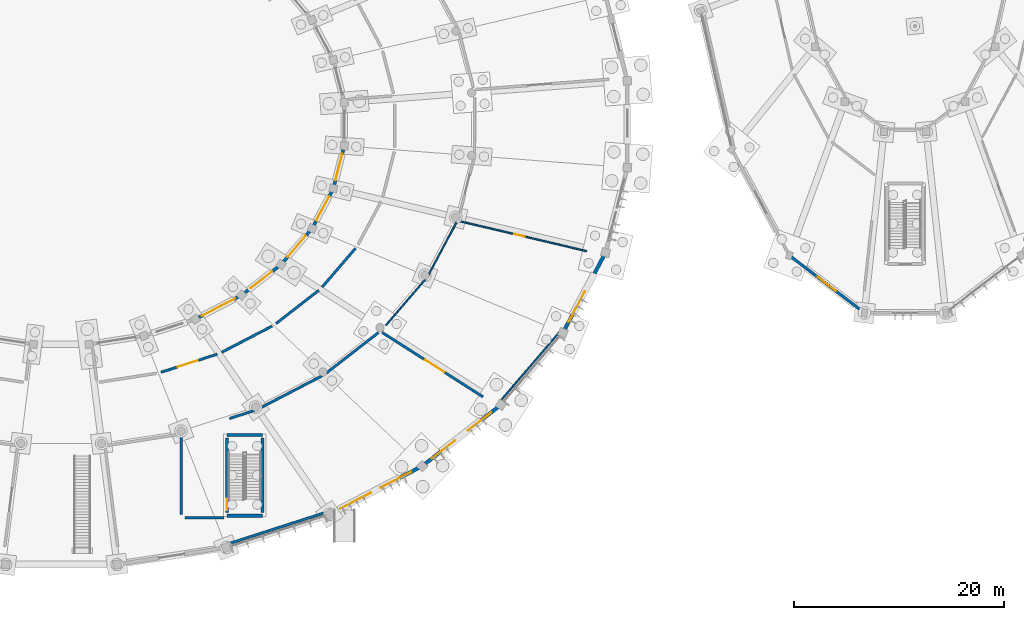
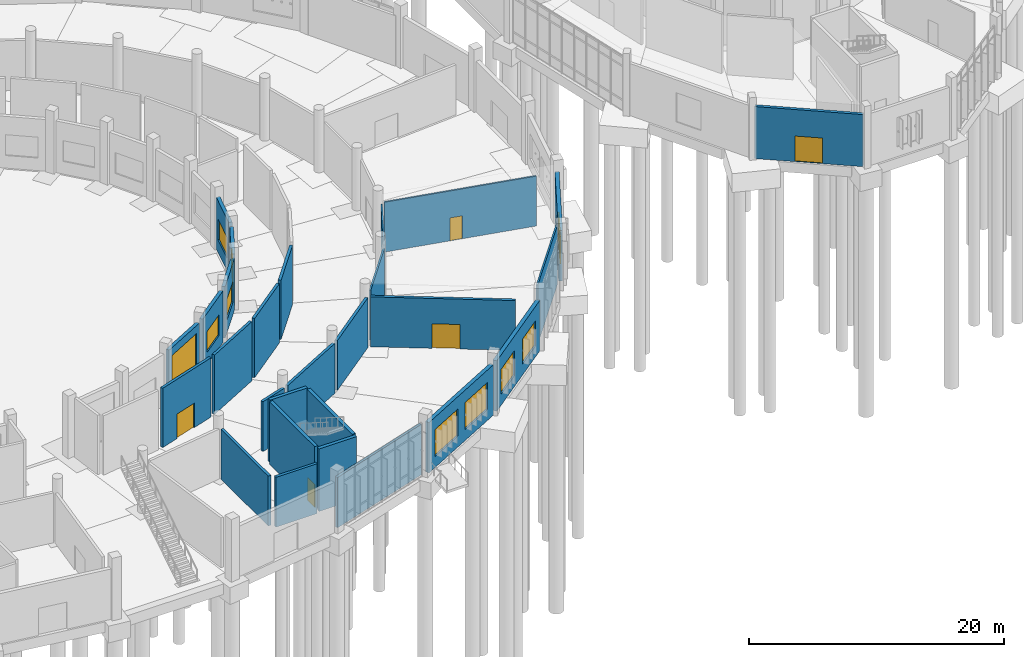
# One storey, part 85 of 140: 28 walls, 9 windows, 6 doors, 15 openings.
"""IFC4 building model written with IfcOpenShell, lengths in metres."""

from ifc_helpers import new_model, si_unit, direction, frame, frame_2d, origin, place, context, subcontext, project, spatial, rectangle, extrude, material, layer, layer_set, type_object, element, fill, save


model = new_model("IFC4")

# Units and contexts
model_context = context("Model", 3, precision=1e-05, world=origin(), true_north=direction((0.0, 1.0)))
body_context = subcontext(model_context, "Body", "Model", "MODEL_VIEW")
ifc_project = project(units=[si_unit("LENGTHUNIT", "METRE"), si_unit("AREAUNIT", "SQUARE_METRE"), si_unit("VOLUMEUNIT", "CUBIC_METRE"), si_unit("PLANEANGLEUNIT", "RADIAN"), si_unit("MASSUNIT", "GRAM", prefix="KILO")], contexts=[model_context])

# Site, building, storey
site_placement = place(None, origin())
site = spatial("IfcSite", under=ifc_project, at=site_placement, CompositionType="ELEMENT")
building_placement = place(site_placement, origin())
building = spatial("IfcBuilding", under=site, at=building_placement, Name="Corvandel Quay Wholesale Market", CompositionType="ELEMENT")
storey_placement = place(building_placement, origin())
storey = spatial("IfcBuildingStorey", under=building, at=storey_placement, Name="L00", CompositionType="ELEMENT", Elevation=0.0)

# Walls
ifc_material_1 = material(Name="Lightweight concrete blockwork", Category="masonry")
ifc_layer_1 = layer(ifc_material_1, 0.239990234375)
ifc_layer_set_1 = layer_set([ifc_layer_1], Name="Lightweight concrete blockwork")
wall_type_1 = type_object("IfcWallType", Name="Fire Compartment Partition PT01 240", PredefinedType="PARTITIONING", material=ifc_layer_set_1)
wall_1_placement = place(storey_placement, frame((125.4599609375, 12.222900390625, 0.0), z_axis=(0.0, 0.0, 1.0), x_axis=(0.0, -1.0, 0.0)))
element("IfcWall", 1, at=wall_1_placement, inside=storey, type_object=wall_type_1, Name="Interior Wall IW-0391", PredefinedType="PARTITIONING", context=body_context, shape_type="SweptSolid", body=[
    extrude(rectangle(XDim=7.44287109375, YDim=0.239990234375, at=frame_2d((3.721435546875, 0.0))), origin(), (0.0, 0.0, 1.0), 4.780029296875),
])
wall_2_placement = place(storey_placement, frame((125.780029296875, 4.4599609375, 0.0), z_axis=(0.0, 0.0, 1.0), x_axis=(1.0, 0.0, 0.0)))
element("IfcWall", 2, at=wall_2_placement, inside=storey, type_object=wall_type_1, Name="Interior Wall IW-0392", PredefinedType="PARTITIONING", context=body_context, shape_type="SweptSolid", body=[
    extrude(rectangle(XDim=3.75, YDim=0.239990234375, at=frame_2d((1.875, 0.0))), origin(), (0.0, 0.0, 1.0), 4.780029296875),
])
wall_3_placement = place(storey_placement, frame((130.04931640625, 13.91748046875, 0.0), z_axis=(0.0, 0.0, 1.0), x_axis=(0.951562248759, 0.30745615417, 0.0)))
element("IfcWall", 3, at=wall_3_placement, inside=storey, type_object=wall_type_1, Name="Interior Wall IW-0393", PredefinedType="PARTITIONING", context=body_context, shape_type="SweptSolid", body=[
    extrude(rectangle(XDim=2.51708984375, YDim=0.239990234375, at=frame_2d((1.258544921875, 0.0))), origin(), (0.0, 0.0, 1.0), 4.780029296875),
])
wall_4_placement = place(storey_placement, frame((132.84912109375, 14.8603515625, 0.0), z_axis=(0.0, 0.0, 1.0), x_axis=(0.887430939063, 0.460940699433, 0.0)))
element("IfcWall", 4, at=wall_4_placement, inside=storey, type_object=wall_type_1, Name="Interior Wall IW-0394", PredefinedType="PARTITIONING", context=body_context, shape_type="SweptSolid", body=[
    extrude(rectangle(XDim=6.810302734375, YDim=0.239990234375, at=frame_2d((3.4052734375, 0.0))), origin(), (0.0, 0.0, 1.0), 4.780029296875),
])
wall_5_placement = place(storey_placement, frame((139.26171875, 18.23583984375, 0.0), z_axis=(0.0, 0.0, 1.0), x_axis=(0.789755642967, 0.613421571517, 0.0)))
element("IfcWall", 5, at=wall_5_placement, inside=storey, type_object=wall_type_1, Name="Interior Wall IW-0395", PredefinedType="PARTITIONING", context=body_context, shape_type="SweptSolid", body=[
    extrude(rectangle(XDim=6.319091796875, YDim=0.239990234375, at=frame_2d((3.15966796875, 0.0))), origin(), (0.0, 0.0, 1.0), 4.780029296875),
])

# Wall, opening, door
wall_6_placement = place(storey_placement, frame((144.611328125, 22.128662109375, 0.0), z_axis=(0.0, 0.0, 1.0), x_axis=(0.842924894101, -0.538031247146, 0.0)))
wall_6 = element("IfcWall", 6, at=wall_6_placement, inside=storey, type_object=wall_type_1, Name="Interior Wall IW-0396", PredefinedType="PARTITIONING", context=body_context, shape_type="SweptSolid", body=[
    extrude(rectangle(XDim=11.408203125, YDim=0.239990234375, at=frame_2d((5.7041015625, 0.0))), origin(), (0.0, 0.0, 1.0), 4.780029296875),
])
opening_1_placement = place(wall_6_placement, frame((4.85400390625, 0.0, 0.0)))
opening_1 = element("IfcOpeningElement", 7, at=opening_1_placement, cuts=wall_6, Name="Opening L00-D091", PredefinedType="OPENING", context=body_context, shape_type="SweptSolid", body=[
    extrude(rectangle(XDim=2.199951171875, YDim=2.35009765625, at=frame_2d((1.10009765625, 1.175048828125))), frame((0.0, 0.1298828125, 0.0), z_axis=(0.0, -1.0, 0.0), x_axis=(1.0, 0.0, 0.0)), (0.0, 0.0, 1.0), 0.260009765625),
])
ifc_material_2 = material(Name="Stainless-clad fire-rated steel", Category="steel")
door_type_1 = type_object("IfcDoorType", Name="Hall Compartment Double Door ID04 2200x2350", OperationType="DOUBLE_DOOR_SINGLE_SWING", PredefinedType="DOOR", material=ifc_material_2)
door_1_placement = place(opening_1_placement, origin())
door_1 = element("IfcDoor", 8, at=door_1_placement, inside=storey, type_object=door_type_1, Name="Root Vegetable Wholesale Trading Hall Door", OperationType="DOUBLE_DOOR_SINGLE_SWING", OverallHeight=2.35009765625, OverallWidth=2.199951171875, PredefinedType="DOOR", context=body_context, shape_type="SweptSolid", body=[
    extrude(rectangle(XDim=2.199951171875, YDim=2.35009765625, at=frame_2d((1.10009765625, 1.175048828125))), frame((0.0, 0.02490234375, 0.0), z_axis=(0.0, -1.0, 0.0), x_axis=(1.0, 0.0, 0.0)), (0.0, 0.0, 1.0), 0.050048828125),
])
fill(opening_1, door_1)

# Walls
wall_7_placement = place(storey_placement, frame((139.26171875, 4.971435546875, 0.0), z_axis=(0.0, 0.0, 1.0), x_axis=(-0.951842519604, -0.306587373964, 0.0)))
element("IfcWall", 9, at=wall_7_placement, inside=storey, type_object=wall_type_1, Name="Interior Wall IW-0397", PredefinedType="PARTITIONING", context=body_context, shape_type="SweptSolid", body=[
    extrude(rectangle(XDim=9.840087890625, YDim=0.239990234375, at=frame_2d((4.919921875, 0.0))), origin(), (0.0, 0.0, 1.0), 4.830078125),
])
wall_8_placement = place(storey_placement, frame((142.073486328125, 30.1650390625, 0.0), z_axis=(0.0, 0.0, 1.0), x_axis=(-0.651612898083, -0.758551666699, 0.0)))
element("IfcWall", 10, at=wall_8_placement, inside=storey, type_object=wall_type_1, Name="Interior Wall IW-0436", PredefinedType="PARTITIONING", context=body_context, shape_type="SweptSolid", body=[
    extrude(rectangle(XDim=4.892578125, YDim=0.239990234375, at=frame_2d((2.4462890625, 0.0))), origin(), (0.0, 0.0, 1.0), 5.679931640625),
])
wall_9_placement = place(storey_placement, frame((138.568359375, 26.15185546875, 0.0), z_axis=(0.0, 0.0, 1.0), x_axis=(-0.789326793675, -0.613973299734, 0.0)))
element("IfcWall", 11, at=wall_9_placement, inside=storey, type_object=wall_type_1, Name="Interior Wall IW-0437", PredefinedType="PARTITIONING", context=body_context, shape_type="SweptSolid", body=[
    extrude(rectangle(XDim=5.1708984375, YDim=0.239990234375, at=frame_2d((2.58544921875, 0.0))), origin(), (0.0, 0.0, 1.0), 5.679931640625),
])
wall_10_placement = place(storey_placement, frame((134.117919921875, 22.740478515625, 0.0), z_axis=(0.0, 0.0, 1.0), x_axis=(-0.88734982981, -0.461096822301, 0.0)))
element("IfcWall", 12, at=wall_10_placement, inside=storey, type_object=wall_type_1, Name="Interior Wall IW-0438", PredefinedType="PARTITIONING", context=body_context, shape_type="SweptSolid", body=[
    extrude(rectangle(XDim=5.437255859375, YDim=0.239990234375, at=frame_2d((2.71875, 0.0))), origin(), (0.0, 0.0, 1.0), 5.679931640625),
])

# Wall, opening, door
wall_11_placement = place(storey_placement, frame((128.888671875, 20.064453125, 0.0), z_axis=(0.0, 0.0, 1.0), x_axis=(-0.951827438235, -0.306634192193, 0.0)))
wall_11 = element("IfcWall", 13, at=wall_11_placement, inside=storey, type_object=wall_type_1, Name="Interior Wall IW-0439", PredefinedType="PARTITIONING", context=body_context, shape_type="SweptSolid", body=[
    extrude(rectangle(XDim=5.6513671875, YDim=0.239990234375, at=frame_2d((2.82568359375, 0.0))), origin(), (0.0, 0.0, 1.0), 5.679931640625),
])
opening_2_placement = place(wall_11_placement, frame((1.97607421875, 0.0, 0.0)))
opening_2 = element("IfcOpeningElement", 14, at=opening_2_placement, cuts=wall_11, Name="Opening L00-D097", PredefinedType="OPENING", context=body_context, shape_type="SweptSolid", body=[
    extrude(rectangle(XDim=2.0, YDim=2.35009765625, at=frame_2d((1.0, 1.175048828125))), frame((0.0, 0.1298828125, 0.0), z_axis=(0.0, -1.0, 0.0), x_axis=(1.0, 0.0, 0.0)), (0.0, 0.0, 1.0), 0.260009765625),
])
ifc_material_3 = material(Name="Heavy-duty anodised aluminium", Category="aluminium")
door_type_2 = type_object("IfcDoorType", Name="Trading Stall Double Door ID05 2000x2350", OperationType="DOUBLE_DOOR_SINGLE_SWING", PredefinedType="DOOR", material=ifc_material_3)
door_2_placement = place(opening_2_placement, origin())
door_2 = element("IfcDoor", 15, at=door_2_placement, inside=storey, type_object=door_type_2, Name="Produce Lorry Apron Loading Stalls SouthEast Door", OperationType="DOUBLE_DOOR_SINGLE_SWING", OverallHeight=2.35009765625, OverallWidth=2.0, PredefinedType="DOOR", context=body_context, shape_type="SweptSolid", body=[
    extrude(rectangle(XDim=2.0, YDim=2.35009765625, at=frame_2d((1.0, 1.175048828125))), frame((0.0, 0.02490234375, 0.0), z_axis=(0.0, -1.0, 0.0), x_axis=(1.0, 0.0, 0.0)), (0.0, 0.0, 1.0), 0.050048828125),
])
fill(opening_2, door_2)

ifc_material_4 = material(Name="Precast concrete C45/55", Category="concrete")
ifc_layer_2 = layer(ifc_material_4, 0.300048828125)
ifc_layer_set_2 = layer_set([ifc_layer_2], Name="Precast concrete C45/55")
wall_type_2 = type_object("IfcWallType", Name="Loading Dock Apron Precast Wall EW05 300", PredefinedType="SOLIDWALL", material=ifc_layer_set_2)
wall_12_placement = place(storey_placement, frame((127.03759765625, 23.51904296875, 0.0), z_axis=(0.0, 0.0, 1.0), x_axis=(0.887318897671, 0.461156344243, 0.0)))
wall_12 = element("IfcWall", 16, at=wall_12_placement, inside=storey, type_object=wall_type_2, Name="Exterior Wall EW-0074", PredefinedType="SOLIDWALL", context=body_context, shape_type="SweptSolid", body=[
    extrude(rectangle(XDim=4.423095703125, YDim=0.300048828125, at=frame_2d((2.21142578125, 0.0))), origin(), (0.0, 0.0, 1.0), 4.949951171875),
])
opening_3_placement = place(wall_12_placement, frame((0.412109375, 0.0, 0.0)))
opening_3 = element("IfcOpeningElement", 17, at=opening_3_placement, cuts=wall_12, Name="Opening L00-D015", PredefinedType="OPENING", context=body_context, shape_type="SweptSolid", body=[
    extrude(rectangle(XDim=3.60009765625, YDim=4.199951171875, at=frame_2d((1.800048828125, 2.10009765625))), frame((0.0, 0.159912109375, 0.0), z_axis=(0.0, -1.0, 0.0), x_axis=(1.0, 0.0, 0.0)), (0.0, 0.0, 1.0), 0.320068359375),
])
ifc_material_5 = material(Name="Perforated galvanised steel slats", Category="steel")
door_type_3 = type_object("IfcDoorType", Name="Produce Yard Apron Roller Shutter RS02 3600x4200", OperationType="ROLLINGUP", PredefinedType="DOOR", material=ifc_material_5)
door_3_placement = place(opening_3_placement, origin())
door_3 = element("IfcDoor", 18, at=door_3_placement, inside=storey, type_object=door_type_3, Name="Yard Loading Door V1-26", OperationType="ROLLINGUP", OverallHeight=4.199951171875, OverallWidth=3.60009765625, PredefinedType="DOOR", context=body_context, shape_type="SweptSolid", body=[
    extrude(rectangle(XDim=3.60009765625, YDim=4.199951171875, at=frame_2d((1.800048828125, 2.10009765625))), frame((0.0, 0.02490234375, 0.0), z_axis=(0.0, -1.0, 0.0), x_axis=(1.0, 0.0, 0.0)), (0.0, 0.0, 1.0), 0.050048828125),
])
fill(opening_3, door_3)

# Wall, opening, window
wall_13_placement = place(storey_placement, frame((131.431884765625, 25.85986328125, 0.0), z_axis=(0.0, 0.0, 1.0), x_axis=(0.789377228816, 0.613908454598, 0.0)))
wall_13 = element("IfcWall", 19, at=wall_13_placement, inside=storey, type_object=wall_type_2, Name="Exterior Wall EW-0077", PredefinedType="SOLIDWALL", context=body_context, shape_type="SweptSolid", body=[
    extrude(rectangle(XDim=4.20458984375, YDim=0.300048828125, at=frame_2d((2.102294921875, 0.0))), origin(), (0.0, 0.0, 1.0), 4.949951171875),
])
opening_4_placement = place(wall_13_placement, frame((0.802001953125, 0.0, 1.199951171875)))
opening_4 = element("IfcOpeningElement", 20, at=opening_4_placement, cuts=wall_13, Name="Opening L00-W044", PredefinedType="OPENING", context=body_context, shape_type="SweptSolid", body=[
    extrude(rectangle(XDim=2.60009765625, YDim=2.0, at=frame_2d((1.300048828125, 1.0))), frame((0.0, 0.159912109375, 0.0), z_axis=(0.0, -1.0, 0.0), x_axis=(1.0, 0.0, 0.0)), (0.0, 0.0, 1.0), 0.320068359375),
])
ifc_material_6 = material(Name="Thermally broken bronze anodised aluminium and solar-control low-E double glazing", Category="aluminium")
window_type_1 = type_object("IfcWindowType", Name="Yard Overlook Window WN05 2600x2000", PartitioningType="SINGLE_PANEL", PredefinedType="WINDOW", material=ifc_material_6)
window_1_placement = place(opening_4_placement, origin())
window_1 = element("IfcWindow", 21, at=window_1_placement, inside=storey, type_object=window_type_1, Name="Window L00-W044", OverallHeight=2.0, OverallWidth=2.60009765625, PartitioningType="SINGLE_PANEL", PredefinedType="WINDOW", context=body_context, shape_type="SweptSolid", body=[
    extrude(rectangle(XDim=2.60009765625, YDim=2.0, at=frame_2d((1.300048828125, 1.0))), frame((0.0, 0.030029296875, 0.0), z_axis=(0.0, -1.0, 0.0), x_axis=(1.0, 0.0, 0.0)), (0.0, 0.0, 1.0), 0.06005859375),
])
fill(opening_4, window_1)

wall_14_placement = place(storey_placement, frame((135.154541015625, 28.825439453125, 0.0), z_axis=(0.0, 0.0, 1.0), x_axis=(0.651580132855, 0.758579811535, 0.0)))
wall_14 = element("IfcWall", 22, at=wall_14_placement, inside=storey, type_object=wall_type_2, Name="Exterior Wall EW-0078", PredefinedType="SOLIDWALL", context=body_context, shape_type="SweptSolid", body=[
    extrude(rectangle(XDim=3.974609375, YDim=0.300048828125, at=frame_2d((1.9873046875, 0.0))), origin(), (0.0, 0.0, 1.0), 4.949951171875),
])
opening_5_placement = place(wall_14_placement, frame((0.68701171875, 0.0, 1.199951171875)))
opening_5 = element("IfcOpeningElement", 23, at=opening_5_placement, cuts=wall_14, Name="Opening L00-W045", PredefinedType="OPENING", context=body_context, shape_type="SweptSolid", body=[
    extrude(rectangle(XDim=2.60009765625, YDim=2.0, at=frame_2d((1.300048828125, 1.0))), frame((0.0, 0.159912109375, 0.0), z_axis=(0.0, -1.0, 0.0), x_axis=(1.0, 0.0, 0.0)), (0.0, 0.0, 1.0), 0.320068359375),
])
window_2_placement = place(opening_5_placement, origin())
window_2 = element("IfcWindow", 24, at=window_2_placement, inside=storey, type_object=window_type_1, Name="Window L00-W045", OverallHeight=2.0, OverallWidth=2.60009765625, PartitioningType="SINGLE_PANEL", PredefinedType="WINDOW", context=body_context, shape_type="SweptSolid", body=[
    extrude(rectangle(XDim=2.60009765625, YDim=2.0, at=frame_2d((1.300048828125, 1.0))), frame((0.0, 0.030029296875, 0.0), z_axis=(0.0, -1.0, 0.0), x_axis=(1.0, 0.0, 0.0)), (0.0, 0.0, 1.0), 0.06005859375),
])
fill(opening_5, window_2)

wall_15_placement = place(storey_placement, frame((138.05859375, 32.30029296875, 0.0), z_axis=(0.0, 0.0, 1.0), x_axis=(0.469993150061, 0.882670062309, 0.0)))
wall_15 = element("IfcWall", 25, at=wall_15_placement, inside=storey, type_object=wall_type_2, Name="Exterior Wall EW-0081", PredefinedType="SOLIDWALL", context=body_context, shape_type="SweptSolid", body=[
    extrude(rectangle(XDim=3.769775390625, YDim=0.300048828125, at=frame_2d((1.884765625, 0.0))), origin(), (0.0, 0.0, 1.0), 4.949951171875),
])
opening_6_placement = place(wall_15_placement, frame((0.5849609375, 0.0, 1.199951171875)))
opening_6 = element("IfcOpeningElement", 26, at=opening_6_placement, cuts=wall_15, Name="Opening L00-W047", PredefinedType="OPENING", context=body_context, shape_type="SweptSolid", body=[
    extrude(rectangle(XDim=2.60009765625, YDim=2.0, at=frame_2d((1.300048828125, 1.0))), frame((0.0, 0.159912109375, 0.0), z_axis=(0.0, -1.0, 0.0), x_axis=(1.0, 0.0, 0.0)), (0.0, 0.0, 1.0), 0.320068359375),
])
window_3_placement = place(opening_6_placement, origin())
window_3 = element("IfcWindow", 27, at=window_3_placement, inside=storey, type_object=window_type_1, Name="Window L00-W047", OverallHeight=2.0, OverallWidth=2.60009765625, PartitioningType="SINGLE_PANEL", PredefinedType="WINDOW", context=body_context, shape_type="SweptSolid", body=[
    extrude(rectangle(XDim=2.60009765625, YDim=2.0, at=frame_2d((1.300048828125, 1.0))), frame((0.0, 0.030029296875, 0.0), z_axis=(0.0, -1.0, 0.0), x_axis=(1.0, 0.0, 0.0)), (0.0, 0.0, 1.0), 0.06005859375),
])
fill(opening_6, window_3)

wall_16_placement = place(storey_placement, frame((140.031494140625, 36.146240234375, 0.0), z_axis=(0.0, 0.0, 1.0), x_axis=(0.247868505824, 0.968793684858, 0.0)))
wall_16 = element("IfcWall", 28, at=wall_16_placement, inside=storey, type_object=wall_type_2, Name="Exterior Wall EW-0083", PredefinedType="SOLIDWALL", context=body_context, shape_type="SweptSolid", body=[
    extrude(rectangle(XDim=3.627685546875, YDim=0.300048828125, at=frame_2d((1.81396484375, 0.0))), origin(), (0.0, 0.0, 1.0), 4.949951171875),
])
opening_7_placement = place(wall_16_placement, frame((0.513916015625, 0.0, 1.199951171875)))
opening_7 = element("IfcOpeningElement", 29, at=opening_7_placement, cuts=wall_16, Name="Opening L00-W050", PredefinedType="OPENING", context=body_context, shape_type="SweptSolid", body=[
    extrude(rectangle(XDim=2.60009765625, YDim=2.0, at=frame_2d((1.300048828125, 1.0))), frame((0.0, 0.159912109375, 0.0), z_axis=(0.0, -1.0, 0.0), x_axis=(1.0, 0.0, 0.0)), (0.0, 0.0, 1.0), 0.320068359375),
])
window_4_placement = place(opening_7_placement, origin())
window_4 = element("IfcWindow", 30, at=window_4_placement, inside=storey, type_object=window_type_1, Name="Window L00-W050", OverallHeight=2.0, OverallWidth=2.60009765625, PartitioningType="SINGLE_PANEL", PredefinedType="WINDOW", context=body_context, shape_type="SweptSolid", body=[
    extrude(rectangle(XDim=2.60009765625, YDim=2.0, at=frame_2d((1.300048828125, 1.0))), frame((0.0, 0.030029296875, 0.0), z_axis=(0.0, -1.0, 0.0), x_axis=(1.0, 0.0, 0.0)), (0.0, 0.0, 1.0), 0.06005859375),
])
fill(opening_7, window_4)

# Walls
ifc_material_7 = material(Name="Double-layer acoustic gypsum stud partition")
ifc_layer_3 = layer(ifc_material_7, 0.139892578125)
ifc_layer_set_3 = layer_set([ifc_layer_3], Name="Double-layer acoustic gypsum stud partition")
wall_type_3 = type_object("IfcWallType", Name="Office Acoustic Partition PT07 140", PredefinedType="PARTITIONING", material=ifc_layer_set_3)
wall_17_placement = place(storey_placement, frame((144.976318359375, 22.81787109375, 0.0), z_axis=(0.0, 0.0, 1.0), x_axis=(0.651317990472, 0.758804899356, 0.0)))
element("IfcWall", 31, at=wall_17_placement, inside=storey, type_object=wall_type_3, Name="Interior Wall IW-0400", PredefinedType="PARTITIONING", context=body_context, shape_type="SweptSolid", body=[
    extrude(rectangle(XDim=5.839599609375, YDim=0.139892578125, at=frame_2d((2.919921875, 0.0))), origin(), (0.0, 0.0, 1.0), 4.780029296875),
])
wall_18_placement = place(storey_placement, frame((149.026611328125, 27.610107421875, 0.0), z_axis=(0.0, 0.0, 1.0), x_axis=(0.470402292784, 0.882452085353, 0.0)))
element("IfcWall", 32, at=wall_18_placement, inside=storey, type_object=wall_type_3, Name="Interior Wall IW-0401", PredefinedType="PARTITIONING", context=body_context, shape_type="SweptSolid", body=[
    extrude(rectangle(XDim=5.65673828125, YDim=0.139892578125, at=frame_2d((2.828369140625, 0.0))), origin(), (0.0, 0.0, 1.0), 4.780029296875),
])

# Wall, opening, door
wall_19_placement = place(storey_placement, frame((152.005126953125, 32.74560546875, 0.0), z_axis=(0.0, 0.0, 1.0), x_axis=(0.973273903965, -0.229647355442, 0.0)))
wall_19 = element("IfcWall", 33, at=wall_19_placement, inside=storey, type_object=wall_type_3, Name="Interior Wall IW-0402", PredefinedType="PARTITIONING", context=body_context, shape_type="SweptSolid", body=[
    extrude(rectangle(XDim=12.442626953125, YDim=0.139892578125, at=frame_2d((6.22119140625, 0.0))), origin(), (0.0, 0.0, 1.0), 4.780029296875),
])
opening_8_placement = place(wall_19_placement, frame((5.37109375, 0.0, 0.0)))
opening_8 = element("IfcOpeningElement", 34, at=opening_8_placement, cuts=wall_19, Name="Opening L00-D092", PredefinedType="OPENING", context=body_context, shape_type="SweptSolid", body=[
    extrude(rectangle(XDim=1.0, YDim=2.199951171875, at=frame_2d((0.5, 1.10009765625))), frame((0.0, 0.079833984375, 0.0), z_axis=(0.0, -1.0, 0.0), x_axis=(1.0, 0.0, 0.0)), (0.0, 0.0, 1.0), 0.159912109375),
])
ifc_material_8 = material(Name="Stained oak solid-core acoustic timber", Category="wood")
door_type_4 = type_object("IfcDoorType", Name="Office Entry Door ID10 1000x2200R", OperationType="SINGLE_SWING_RIGHT", PredefinedType="DOOR", material=ifc_material_8)
door_4_placement = place(opening_8_placement, origin())
door_4 = element("IfcDoor", 35, at=door_4_placement, inside=storey, type_object=door_type_4, Name="Produce Weighbridge and Dispatch Office Door", OperationType="SINGLE_SWING_RIGHT", OverallHeight=2.199951171875, OverallWidth=1.0, PredefinedType="DOOR", context=body_context, shape_type="SweptSolid", body=[
    extrude(rectangle(XDim=1.0, YDim=2.199951171875, at=frame_2d((0.5, 1.10009765625))), frame((0.0, 0.02490234375, 0.0), z_axis=(0.0, -1.0, 0.0), x_axis=(1.0, 0.0, 0.0)), (0.0, 0.0, 1.0), 0.050048828125),
])
fill(opening_8, door_4)

# Wall
wall_20_placement = place(storey_placement, frame((161.477783203125, 22.09814453125, 0.0), z_axis=(0.0, 0.0, 1.0), x_axis=(-0.651602047287, -0.758560987641, 0.0)))
element("IfcWall", 36, at=wall_20_placement, inside=storey, type_object=wall_type_3, Name="Interior Wall IW-0403", PredefinedType="PARTITIONING", context=body_context, shape_type="SweptSolid", body=[
    extrude(rectangle(XDim=8.354248046875, YDim=0.139892578125, at=frame_2d((4.17724609375, 0.0))), origin(), (0.0, 0.0, 1.0), 5.679931640625),
])

# Wall, opening, door
ifc_material_9 = material(Name="Terracotta precast concrete C45/55", Category="masonry")
ifc_layer_4 = layer(ifc_material_9, 0.260009765625)
ifc_layer_set_4 = layer_set([ifc_layer_4], Name="Terracotta precast concrete C45/55")
wall_type_4 = type_object("IfcWallType", Name="Pavilion Pilaster Infill Wall EW08 260", PredefinedType="SOLIDWALL", material=ifc_layer_set_4)
wall_21_placement = place(storey_placement, frame((183.62890625, 29.347412109375, 0.0), z_axis=(0.0, 0.0, 1.0), x_axis=(0.794325535109, -0.607492340918, 0.0)))
wall_21 = element("IfcWall", 37, at=wall_21_placement, inside=storey, type_object=wall_type_4, Name="Exterior Wall EW-0183", PredefinedType="SOLIDWALL", context=body_context, shape_type="SweptSolid", body=[
    extrude(rectangle(XDim=8.58251953125, YDim=0.260009765625, at=frame_2d((4.291259765625, 0.0))), origin(), (0.0, 0.0, 1.0), 4.989990234375),
])
opening_9_placement = place(wall_21_placement, frame((3.19091796875, 0.0, 0.0)))
opening_9 = element("IfcOpeningElement", 38, at=opening_9_placement, cuts=wall_21, Name="Opening L00-D023", PredefinedType="OPENING", context=body_context, shape_type="SweptSolid", body=[
    extrude(rectangle(XDim=2.199951171875, YDim=2.449951171875, at=frame_2d((1.10009765625, 1.22509765625))), frame((0.0, 0.139892578125, 0.0), z_axis=(0.0, -1.0, 0.0), x_axis=(1.0, 0.0, 0.0)), (0.0, 0.0, 1.0), 0.280029296875),
])
ifc_material_10 = material(Name="Bronze anodised aluminium and laminated glass", Category="aluminium")
door_type_5 = type_object("IfcDoorType", Name="Auction Foyer Sliding Entrance ED08 2200x2450", OperationType="DOUBLE_DOOR_SLIDING", PredefinedType="DOOR", material=ifc_material_10)
door_5_placement = place(opening_9_placement, origin())
door_5 = element("IfcDoor", 39, at=door_5_placement, inside=storey, type_object=door_type_5, Name="Main Pedestrian Exit V3-10", OperationType="DOUBLE_DOOR_SLIDING", OverallHeight=2.449951171875, OverallWidth=2.199951171875, PredefinedType="DOOR", context=body_context, shape_type="SweptSolid", body=[
    extrude(rectangle(XDim=2.199951171875, YDim=2.449951171875, at=frame_2d((1.10009765625, 1.22509765625))), frame((0.0, 0.02490234375, 0.0), z_axis=(0.0, -1.0, 0.0), x_axis=(1.0, 0.0, 0.0)), (0.0, 0.0, 1.0), 0.050048828125),
])
fill(opening_9, door_5)

# Walls
ifc_material_11 = material(Name="Concrete C40/50", Category="concrete")
ifc_layer_5 = layer(ifc_material_11, 0.300048828125)
ifc_layer_set_5 = layer_set([ifc_layer_5], Name="Concrete C40/50")
wall_type_5 = type_object("IfcWallType", Name="Stair Shaft Shear Wall SW02 300", PredefinedType="SHEAR", material=ifc_layer_set_5)
for number, where, z_axis, x_axis, name in (
    (40, (129.800048828125, 4.64990234375, 0.0), (0.0, 0.0, 1.0), (1.0, 0.0, 0.0), "Shear Wall IW-0037"),
    (41, (129.800048828125, 12.35009765625, 0.0), (0.0, 0.0, 1.0), (1.0, 0.0, 0.0), "Shear Wall IW-0038"),
):
    element("IfcWall", number, at=place(storey_placement, frame(where, z_axis=z_axis, x_axis=x_axis)), inside=storey, type_object=wall_type_5, Name=name, PredefinedType="SHEAR", context=body_context, shape_type="SweptSolid", body=[
        extrude(rectangle(XDim=3.39990234375, YDim=0.300048828125, at=frame_2d((1.699951171875, 0.0))), origin(), (0.0, 0.0, 1.0), 6.0),
    ])

# Wall, opening, door
wall_22_placement = place(storey_placement, frame((129.800048828125, 4.93994140625, 0.0), z_axis=(0.0, 0.0, 1.0), x_axis=(0.0, 1.0, 0.0)))
wall_22 = element("IfcWall", 42, at=wall_22_placement, inside=storey, type_object=wall_type_5, Name="Shear Wall IW-0039", PredefinedType="SHEAR", context=body_context, shape_type="SweptSolid", body=[
    extrude(rectangle(XDim=7.1201171875, YDim=0.300048828125, at=frame_2d((3.56005859375, 0.0))), origin(), (0.0, 0.0, 1.0), 6.0),
])
opening_10_placement = place(wall_22_placement, frame((0.219970703125, 0.0, 0.0)))
opening_10 = element("IfcOpeningElement", 43, at=opening_10_placement, cuts=wall_22, Name="Opening L00-D059", PredefinedType="OPENING", context=body_context, shape_type="SweptSolid", body=[
    extrude(rectangle(XDim=1.10009765625, YDim=2.199951171875, at=frame_2d((0.550048828125, 1.10009765625))), frame((0.0, 0.159912109375, 0.0), z_axis=(0.0, -1.0, 0.0), x_axis=(1.0, 0.0, 0.0)), (0.0, 0.0, 1.0), 0.320068359375),
])
ifc_material_12 = material(Name="Galvanised fire-rated hollow steel", Category="steel")
door_type_6 = type_object("IfcDoorType", Name="Exit Stair Fire Door ID02 1100x2200R", OperationType="SINGLE_SWING_RIGHT", PredefinedType="DOOR", material=ifc_material_12)
door_6_placement = place(opening_10_placement, origin())
door_6 = element("IfcDoor", 44, at=door_6_placement, inside=storey, type_object=door_type_6, Name="Exit Stair Door SH04-L00", OperationType="SINGLE_SWING_RIGHT", OverallHeight=2.199951171875, OverallWidth=1.10009765625, PredefinedType="DOOR", context=body_context, shape_type="SweptSolid", body=[
    extrude(rectangle(XDim=1.10009765625, YDim=2.199951171875, at=frame_2d((0.550048828125, 1.10009765625))), frame((0.0, 0.02490234375, 0.0), z_axis=(0.0, -1.0, 0.0), x_axis=(1.0, 0.0, 0.0)), (0.0, 0.0, 1.0), 0.050048828125),
])
fill(opening_10, door_6)

# Wall
wall_23_placement = place(storey_placement, frame((133.199951171875, 4.93994140625, 0.0), z_axis=(0.0, 0.0, 1.0), x_axis=(0.0, 1.0, 0.0)))
element("IfcWall", 45, at=wall_23_placement, inside=storey, type_object=wall_type_5, Name="Shear Wall IW-0040", PredefinedType="SHEAR", context=body_context, shape_type="SweptSolid", body=[
    extrude(rectangle(XDim=7.1201171875, YDim=0.300048828125, at=frame_2d((3.56005859375, 0.0))), origin(), (0.0, 0.0, 1.0), 6.0),
])

# Wall, openings, windows
ifc_layer_6 = layer(ifc_material_9, 0.340087890625)
ifc_layer_set_6 = layer_set([ifc_layer_6], Name="Terracotta precast concrete C45/55")
wall_type_6 = type_object("IfcWallType", Name="Terracotta Ribbed Precast Wall EW01 340", PredefinedType="SOLIDWALL", material=ifc_layer_set_6)
wall_24_placement = place(storey_placement, frame((139.818603515625, 4.904541015625, 0.0), z_axis=(0.0, 0.0, 1.0), x_axis=(0.887335924519, 0.461123581112, 0.0)))
wall_24 = element("IfcWall", 46, at=wall_24_placement, inside=storey, type_object=wall_type_6, Name="Exterior Wall EW-0072", PredefinedType="SOLIDWALL", context=body_context, shape_type="SweptSolid", body=[
    extrude(rectangle(XDim=9.4267578125, YDim=0.340087890625, at=frame_2d((4.71337890625, 0.0))), origin(), (0.0, 0.0, 1.0), 4.830078125),
])
opening_11_placement = place(wall_24_placement, frame((0.89990234375, 0.0, 1.050048828125)))
opening_11 = element("IfcOpeningElement", 47, at=opening_11_placement, cuts=wall_24, Name="Opening L00-W040", PredefinedType="OPENING", context=body_context, shape_type="SweptSolid", body=[
    extrude(rectangle(XDim=3.300048828125, YDim=2.60009765625, at=frame_2d((1.64990234375, 1.300048828125))), frame((0.0, 0.179931640625, 0.0), z_axis=(0.0, -1.0, 0.0), x_axis=(1.0, 0.0, 0.0)), (0.0, 0.0, 1.0), 0.360107421875),
])
opening_12_placement = place(wall_24_placement, frame((5.22705078125, 0.0, 1.050048828125)))
opening_12 = element("IfcOpeningElement", 48, at=opening_12_placement, cuts=wall_24, Name="Opening L00-W041", PredefinedType="OPENING", context=body_context, shape_type="SweptSolid", body=[
    extrude(rectangle(XDim=3.300048828125, YDim=2.60009765625, at=frame_2d((1.64990234375, 1.300048828125))), frame((0.0, 0.179931640625, 0.0), z_axis=(0.0, -1.0, 0.0), x_axis=(1.0, 0.0, 0.0)), (0.0, 0.0, 1.0), 0.360107421875),
])
window_type_2 = type_object("IfcWindowType", Name="South Promenade Display Window WN26 3300x2600", PartitioningType="SINGLE_PANEL", PredefinedType="WINDOW", material=ifc_material_6)
window_5_placement = place(opening_11_placement, origin())
window_5 = element("IfcWindow", 49, at=window_5_placement, inside=storey, type_object=window_type_2, Name="Window L00-W040", OverallHeight=2.60009765625, OverallWidth=3.300048828125, PartitioningType="SINGLE_PANEL", PredefinedType="WINDOW", context=body_context, shape_type="SweptSolid", body=[
    extrude(rectangle(XDim=3.300048828125, YDim=2.60009765625, at=frame_2d((1.64990234375, 1.300048828125))), frame((0.0, 0.030029296875, 0.0), z_axis=(0.0, -1.0, 0.0), x_axis=(1.0, 0.0, 0.0)), (0.0, 0.0, 1.0), 0.06005859375),
])
fill(opening_11, window_5)
window_6_placement = place(opening_12_placement, origin())
window_6 = element("IfcWindow", 50, at=window_6_placement, inside=storey, type_object=window_type_2, Name="Window L00-W041", OverallHeight=2.60009765625, OverallWidth=3.300048828125, PartitioningType="SINGLE_PANEL", PredefinedType="WINDOW", context=body_context, shape_type="SweptSolid", body=[
    extrude(rectangle(XDim=3.300048828125, YDim=2.60009765625, at=frame_2d((1.64990234375, 1.300048828125))), frame((0.0, 0.030029296875, 0.0), z_axis=(0.0, -1.0, 0.0), x_axis=(1.0, 0.0, 0.0)), (0.0, 0.0, 1.0), 0.06005859375),
])
fill(opening_12, window_6)

wall_25_placement = place(storey_placement, frame((148.635986328125, 9.541748046875, 0.0), z_axis=(0.0, 0.0, 1.0), x_axis=(0.789327357341, 0.613972575082, 0.0)))
wall_25 = element("IfcWall", 51, at=wall_25_placement, inside=storey, type_object=wall_type_6, Name="Exterior Wall EW-0075", PredefinedType="SOLIDWALL", context=body_context, shape_type="SweptSolid", body=[
    extrude(rectangle(XDim=8.98974609375, YDim=0.340087890625, at=frame_2d((4.494873046875, 0.0))), origin(), (0.0, 0.0, 1.0), 4.830078125),
])
opening_13_placement = place(wall_25_placement, frame((0.89990234375, 0.0, 1.050048828125)))
opening_13 = element("IfcOpeningElement", 52, at=opening_13_placement, cuts=wall_25, Name="Opening L00-W042", PredefinedType="OPENING", context=body_context, shape_type="SweptSolid", body=[
    extrude(rectangle(XDim=2.800048828125, YDim=2.39990234375, at=frame_2d((1.39990234375, 1.199951171875))), frame((0.0, 0.179931640625, 0.0), z_axis=(0.0, -1.0, 0.0), x_axis=(1.0, 0.0, 0.0)), (0.0, 0.0, 1.0), 0.360107421875),
])
opening_14_placement = place(wall_25_placement, frame((5.2900390625, 0.0, 1.050048828125)))
opening_14 = element("IfcOpeningElement", 53, at=opening_14_placement, cuts=wall_25, Name="Opening L00-W043", PredefinedType="OPENING", context=body_context, shape_type="SweptSolid", body=[
    extrude(rectangle(XDim=2.800048828125, YDim=2.39990234375, at=frame_2d((1.39990234375, 1.199951171875))), frame((0.0, 0.179931640625, 0.0), z_axis=(0.0, -1.0, 0.0), x_axis=(1.0, 0.0, 0.0)), (0.0, 0.0, 1.0), 0.360107421875),
])
window_type_3 = type_object("IfcWindowType", Name="Produce Hall Arched Ribbon Window WN01 2800x2400", PartitioningType="SINGLE_PANEL", PredefinedType="WINDOW", material=ifc_material_6)
window_7_placement = place(opening_13_placement, origin())
window_7 = element("IfcWindow", 54, at=window_7_placement, inside=storey, type_object=window_type_3, Name="Window L00-W042", OverallHeight=2.39990234375, OverallWidth=2.800048828125, PartitioningType="SINGLE_PANEL", PredefinedType="WINDOW", context=body_context, shape_type="SweptSolid", body=[
    extrude(rectangle(XDim=2.800048828125, YDim=2.39990234375, at=frame_2d((1.39990234375, 1.199951171875))), frame((0.0, 0.030029296875, 0.0), z_axis=(0.0, -1.0, 0.0), x_axis=(1.0, 0.0, 0.0)), (0.0, 0.0, 1.0), 0.06005859375),
])
fill(opening_13, window_7)
window_8_placement = place(opening_14_placement, origin())
window_8 = element("IfcWindow", 55, at=window_8_placement, inside=storey, type_object=window_type_3, Name="Window L00-W043", OverallHeight=2.39990234375, OverallWidth=2.800048828125, PartitioningType="SINGLE_PANEL", PredefinedType="WINDOW", context=body_context, shape_type="SweptSolid", body=[
    extrude(rectangle(XDim=2.800048828125, YDim=2.39990234375, at=frame_2d((1.39990234375, 1.199951171875))), frame((0.0, 0.030029296875, 0.0), z_axis=(0.0, -1.0, 0.0), x_axis=(1.0, 0.0, 0.0)), (0.0, 0.0, 1.0), 0.06005859375),
])
fill(opening_14, window_8)

# Wall, opening, window
wall_26_placement = place(storey_placement, frame((161.98095703125, 22.34423828125, 0.0), z_axis=(0.0, 0.0, 1.0), x_axis=(0.47010905891, 0.882608334841, 0.0)))
wall_26 = element("IfcWall", 56, at=wall_26_placement, inside=storey, type_object=wall_type_6, Name="Exterior Wall EW-0079", PredefinedType="SOLIDWALL", context=body_context, shape_type="SweptSolid", body=[
    extrude(rectangle(XDim=8.11962890625, YDim=0.340087890625, at=frame_2d((4.059814453125, 0.0))), origin(), (0.0, 0.0, 1.0), 4.830078125),
])
opening_15_placement = place(wall_26_placement, frame((0.89990234375, 0.0, 1.050048828125)))
opening_15 = element("IfcOpeningElement", 57, at=opening_15_placement, cuts=wall_26, Name="Opening L00-W046", PredefinedType="OPENING", context=body_context, shape_type="SweptSolid", body=[
    extrude(rectangle(XDim=3.300048828125, YDim=2.60009765625, at=frame_2d((1.64990234375, 1.300048828125))), frame((0.0, 0.179931640625, 0.0), z_axis=(0.0, -1.0, 0.0), x_axis=(1.0, 0.0, 0.0)), (0.0, 0.0, 1.0), 0.360107421875),
])
window_9_placement = place(opening_15_placement, origin())
window_9 = element("IfcWindow", 58, at=window_9_placement, inside=storey, type_object=window_type_2, Name="Window L00-W046", OverallHeight=2.60009765625, OverallWidth=3.300048828125, PartitioningType="SINGLE_PANEL", PredefinedType="WINDOW", context=body_context, shape_type="SweptSolid", body=[
    extrude(rectangle(XDim=3.300048828125, YDim=2.60009765625, at=frame_2d((1.64990234375, 1.300048828125))), frame((0.0, 0.030029296875, 0.0), z_axis=(0.0, -1.0, 0.0), x_axis=(1.0, 0.0, 0.0)), (0.0, 0.0, 1.0), 0.06005859375),
])
fill(opening_15, window_9)

save(model, "model.ifc")
